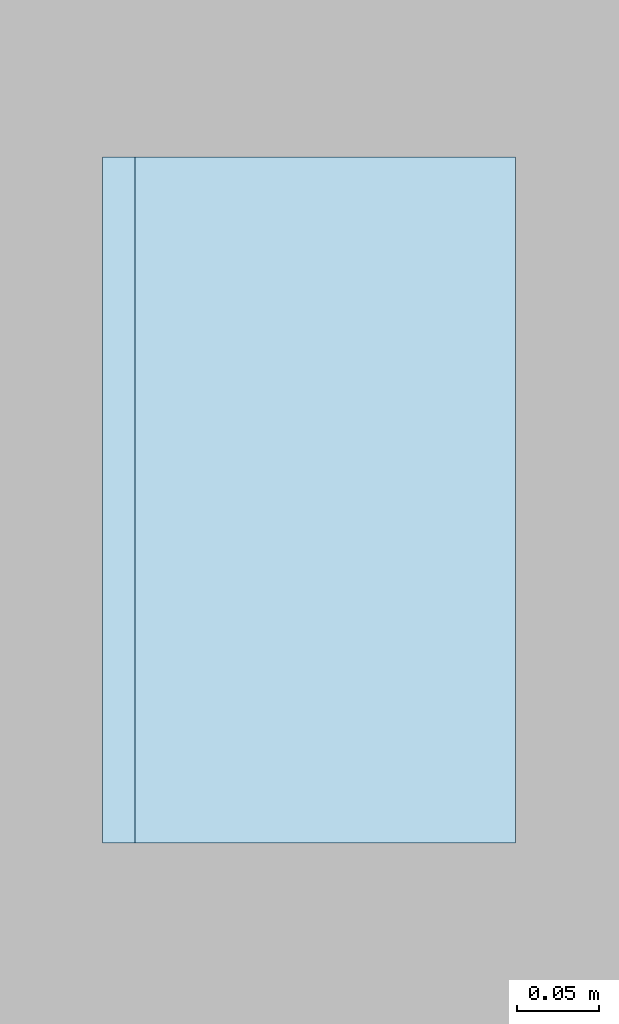
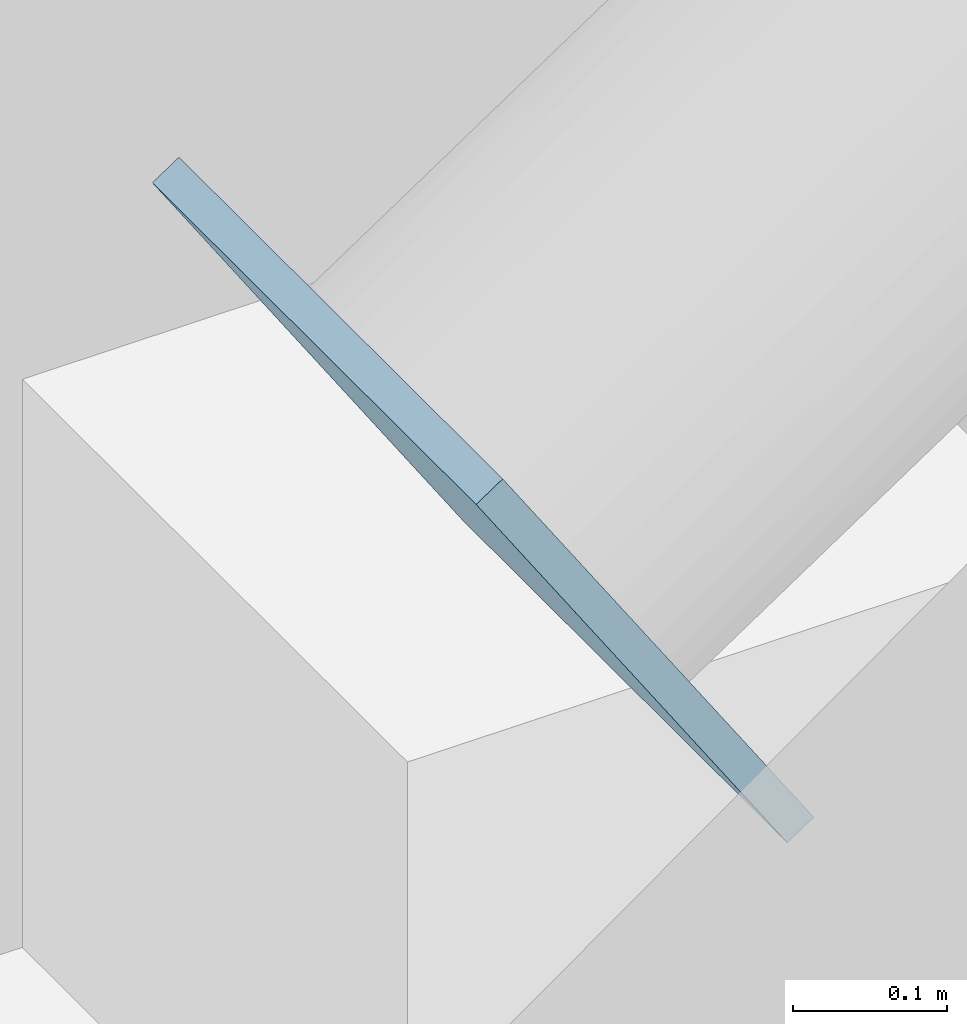
# One storey, part 15 of 35: 1 plate.
"""IFC4 building model written with IfcOpenShell, lengths in metres."""

from ifc_helpers import new_model, si_unit, direction, frame, origin, origin_2d, place, context, subcontext, project, spatial, rectangle, extrude, material, layer, layer_set, type_object, element, save


model = new_model("IFC4")

# Units and contexts
model_context = context("Model", 3, precision=1e-05, world=origin(), true_north=direction((0.0, 1.0)))
body_context = subcontext(model_context, "Body", "Model", "MODEL_VIEW")
ifc_project = project(units=[si_unit("LENGTHUNIT", "METRE"), si_unit("AREAUNIT", "SQUARE_METRE"), si_unit("VOLUMEUNIT", "CUBIC_METRE"), si_unit("PLANEANGLEUNIT", "RADIAN"), si_unit("MASSUNIT", "GRAM", prefix="KILO")], contexts=[model_context])

# Site, building, storey
site_placement = place(None, origin())
site = spatial("IfcSite", under=ifc_project, at=site_placement, CompositionType="ELEMENT")
building_placement = place(site_placement, origin())
building = spatial("IfcBuilding", under=site, at=building_placement, Name="Vesperath Aquatics Centre", CompositionType="ELEMENT")
storey_placement = place(building_placement, frame((0.0, 0.0, -5.39990234375)))
storey = spatial("IfcBuildingStorey", under=building, at=storey_placement, Name="B1", CompositionType="ELEMENT", Elevation=-5.39990234375)

# Plate
ifc_material = material(Name="Steel Q355D", Category="steel")
ifc_layer = layer(ifc_material, 0.02392578125)
ifc_layer_set = layer_set([ifc_layer], Name="Steel Q355D")
plate_type = type_object("IfcPlateType", Name="PT-TN04", PredefinedType="SHEET", material=ifc_layer_set)
plate_placement = place(storey_placement, frame((122.446533203125, 0.0, 0.180908203125), z_axis=(0.832050294338, 0.0, 0.554700196225), x_axis=(0.0, 1.0, 0.0)))
element("IfcPlate", 1, at=plate_placement, inside=storey, type_object=plate_type, Name="Truss Node Cap Plate TN04", PredefinedType="SHEET", context=body_context, shape_type="SweptSolid", body=[
    extrude(rectangle(XDim=0.419921875, YDim=0.419921875, at=origin_2d()), origin(), (0.0, 0.0, 1.0), 0.02392578125),
])

save(model, "model.ifc")
